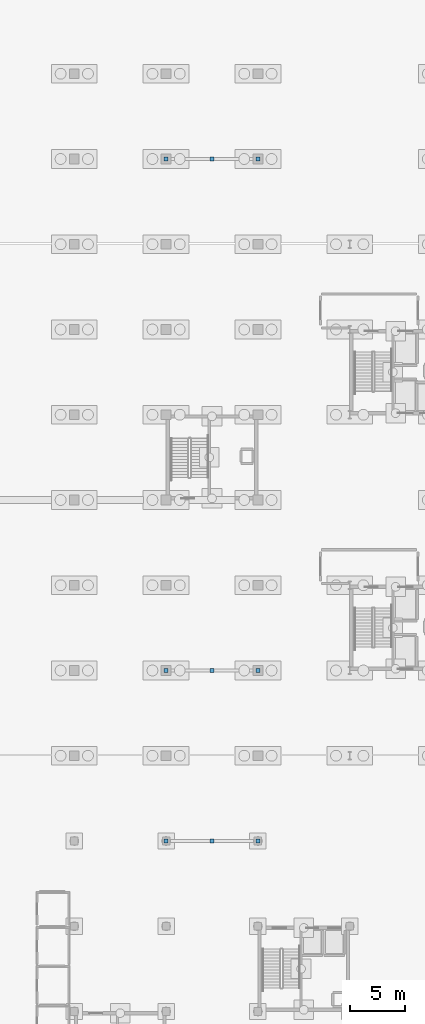
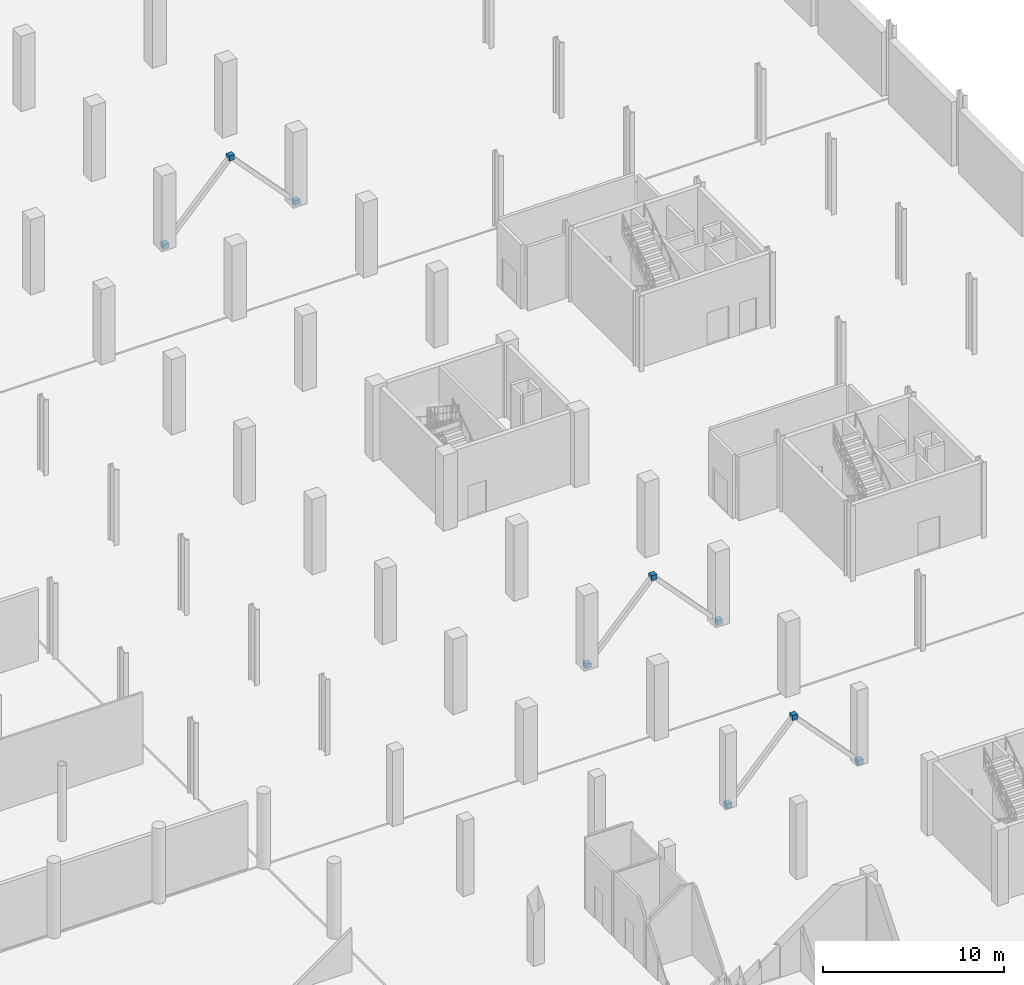
# One storey, part 38 of 48: 9 discrete accessories.
"""IFC4 building model written with IfcOpenShell, lengths in metres."""

from ifc_helpers import new_model, si_unit, direction, frame, origin, origin_2d, place, context, subcontext, project, spatial, rectangle, extrude, material, layer, layer_set, type_object, element, save


model = new_model("IFC4")

# Units and contexts
model_context = context("Model", 3, precision=1e-05, world=origin(), true_north=direction((0.0, 1.0)))
body_context = subcontext(model_context, "Body", "Model", "MODEL_VIEW")
ifc_project = project(units=[si_unit("LENGTHUNIT", "METRE"), si_unit("AREAUNIT", "SQUARE_METRE"), si_unit("VOLUMEUNIT", "CUBIC_METRE"), si_unit("PLANEANGLEUNIT", "RADIAN"), si_unit("MASSUNIT", "GRAM", prefix="KILO")], contexts=[model_context])

# Site, building, storey
site_placement = place(None, origin())
site = spatial("IfcSite", under=ifc_project, at=site_placement, CompositionType="ELEMENT")
building_placement = place(site_placement, origin())
building = spatial("IfcBuilding", under=site, at=building_placement, Name="Nabrawat Pavilion Hospital", CompositionType="ELEMENT")
storey_placement = place(building_placement, frame((0.0, 0.0, -5.10009765625)))
storey = spatial("IfcBuildingStorey", under=building, at=storey_placement, Name="B1", CompositionType="ELEMENT", Elevation=-5.10009765625)

# Discrete accessories
ifc_material = material(Name="Steel S355", Category="steel")
ifc_layer = layer(ifc_material, 0.02001953125, Name="Steel S355")
ifc_layer_set = layer_set([ifc_layer], Name="Steel S355")
discrete_accessory_type = type_object("IfcDiscreteAccessoryType", Name="Brace and Strut Gusset End Bracket 20", PredefinedType="BRACKET", material=ifc_layer_set)
for number, where, z_axis, x_axis, name in (
    (1, (155.39990234375, 31.199951171875, 4.3798828125), (0.0, 0.0, 1.0), (1.0, 0.0, 0.0), "B1 Brace and Strut Gusset End Connection 0048"),
    (2, (151.199951171875, 31.199951171875, -0.1201171875), (0.0, 0.0, 1.0), (1.0, 0.0, 0.0), "B1 Brace and Strut Gusset End Connection 0049"),
    (3, (159.60009765625, 31.199951171875, -0.1201171875), (0.0, 0.0, 1.0), (1.0, 0.0, 0.0), "B1 Brace and Strut Gusset End Connection 0050"),
    (4, (155.39990234375, 46.800048828125, 4.3798828125), (0.0, 0.0, 1.0), (1.0, 0.0, 0.0), "B1 Brace and Strut Gusset End Connection 0066"),
    (5, (151.199951171875, 46.800048828125, -0.1201171875), (0.0, 0.0, 1.0), (1.0, 0.0, 0.0), "B1 Brace and Strut Gusset End Connection 0067"),
    (6, (159.60009765625, 46.800048828125, -0.1201171875), (0.0, 0.0, 1.0), (1.0, 0.0, 0.0), "B1 Brace and Strut Gusset End Connection 0068"),
    (7, (155.39990234375, 93.60009765625, 4.3798828125), (0.0, 0.0, 1.0), (1.0, 0.0, 0.0), "B1 Brace and Strut Gusset End Connection 0093"),
    (8, (151.199951171875, 93.60009765625, -0.1201171875), (0.0, 0.0, 1.0), (1.0, 0.0, 0.0), "B1 Brace and Strut Gusset End Connection 0094"),
    (9, (159.60009765625, 93.60009765625, -0.1201171875), (0.0, 0.0, 1.0), (1.0, 0.0, 0.0), "B1 Brace and Strut Gusset End Connection 0095"),
):
    element("IfcDiscreteAccessory", number, at=place(storey_placement, frame(where, z_axis=z_axis, x_axis=x_axis)), inside=storey, type_object=discrete_accessory_type, Name=name, PredefinedType="BRACKET", context=body_context, shape_type="SweptSolid", body=[
        extrude(rectangle(XDim=0.340087890625, YDim=0.340087890625, at=origin_2d()), origin(), (0.0, 0.0, 1.0), 0.340087890625),
    ])

save(model, "model.ifc")
